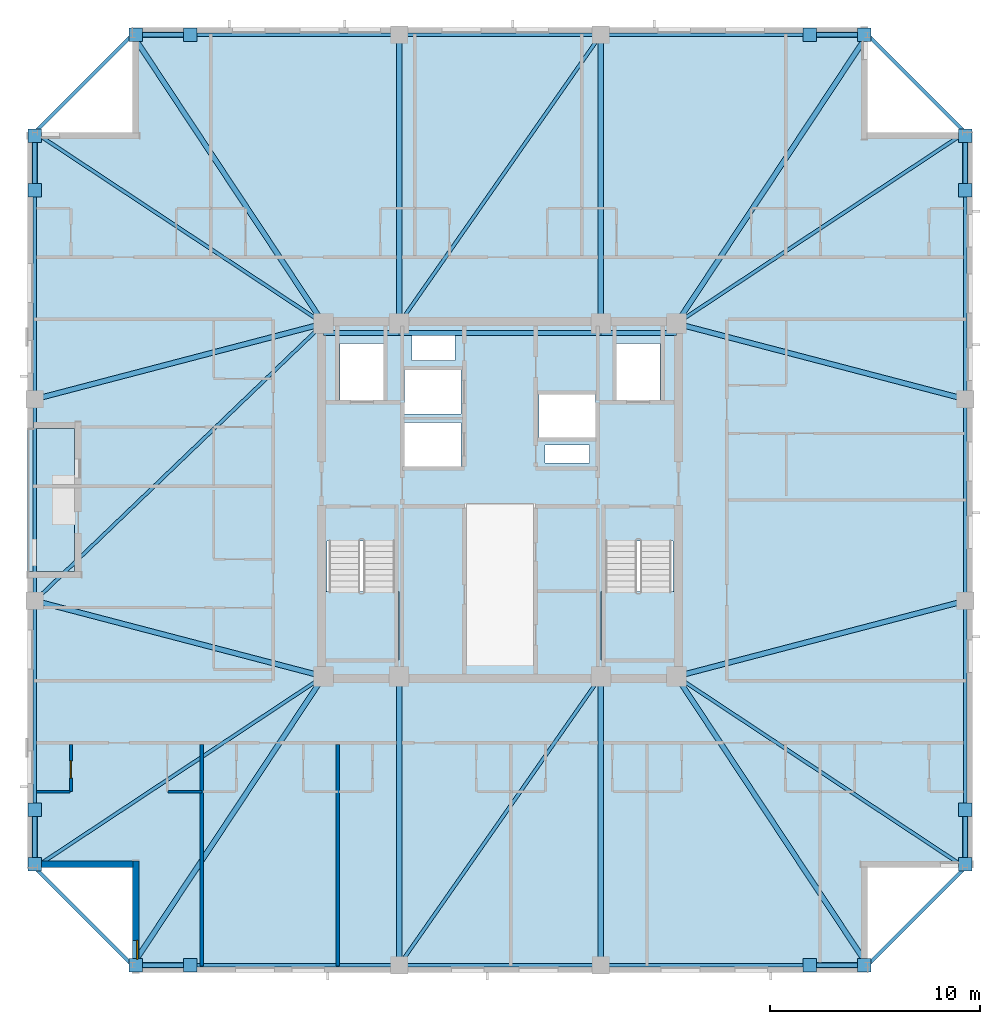
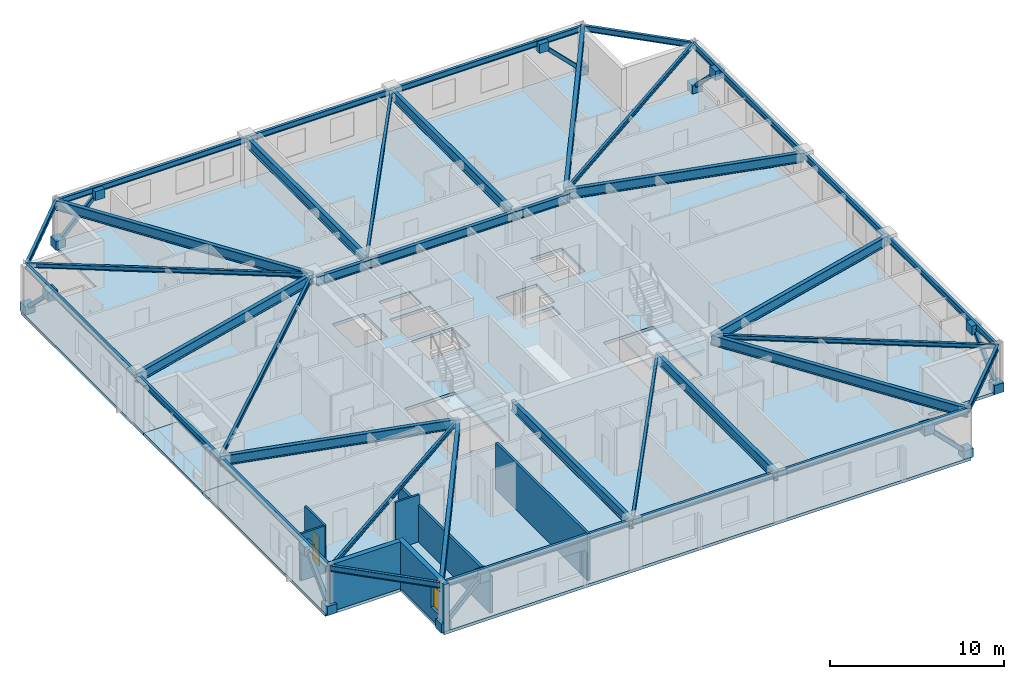
# One storey, part 6 of 17: 38 beams, 16 plates, 8 members, 7 walls, 4 slabs, 1 door, 1 window, 2 openings, 2 elements without a shape of their own.
"""IFC4 building model written with IfcOpenShell, lengths in metres."""

from ifc_helpers import new_model, si_unit, direction, frame, frame_2d, origin, origin_2d, place, context, subcontext, project, spatial, polyline, rectangle, hollow_rectangle, i_section, outline, extrude, material, layer, layer_set, material_profile, profile_set, type_object, element, fill, aggregate, save


model = new_model("IFC4")

# Units and contexts
model_context = context("Model", 3, precision=1e-05, world=origin(), true_north=direction((0.0, 1.0)))
body_context = subcontext(model_context, "Body", "Model", "MODEL_VIEW")
ifc_project = project(units=[si_unit("LENGTHUNIT", "METRE"), si_unit("AREAUNIT", "SQUARE_METRE"), si_unit("VOLUMEUNIT", "CUBIC_METRE"), si_unit("PLANEANGLEUNIT", "RADIAN"), si_unit("MASSUNIT", "GRAM", prefix="KILO")], contexts=[model_context])

# Site, building, storey
site_placement = place(None, origin())
site = spatial("IfcSite", under=ifc_project, at=site_placement, CompositionType="ELEMENT")
building_placement = place(site_placement, origin())
building = spatial("IfcBuilding", under=site, at=building_placement, Name="Cairnveth Concourse Tower", CompositionType="ELEMENT")
storey_placement = place(building_placement, frame((0.0, 0.0, 241.0)))
storey = spatial("IfcBuildingStorey", under=building, at=storey_placement, Name="L66", CompositionType="ELEMENT", Elevation=241.0)

# Beams
ifc_material_1 = material(Name="Steel Grade 350", Category="steel")
ifc_material_profile_1 = material_profile(ifc_material_1, i_section(OverallWidth=0.22802734375, OverallDepth=0.60693359375, WebThickness=0.01123046875, FlangeThickness=0.017333984375, FilletRadius=0.013916015625, at=origin_2d()), Name="610UB113")
ifc_profile_set_1 = profile_set([ifc_material_profile_1], Name="Steel Grade 350")
beam_type_1 = type_object("IfcBeamType", Name="CORE TIE BEAM 610UB113", PredefinedType="T_BEAM", material=ifc_profile_set_1)
for number, where, z_axis, x_axis, name in (
    (1, (43.60009765625, 46.949951171875, 2.986572265625), (1.0, 0.0, 0.0), (0.0, 1.0, 0.0), "Beam CT-N1 L66"),
    (2, (56.800048828125, 46.949951171875, 2.986572265625), (1.0, 0.0, 0.0), (0.0, 1.0, 0.0), "Beam CT-N3 L66"),
):
    element("IfcBeam", number, at=place(storey_placement, frame(where, z_axis=z_axis, x_axis=x_axis)), inside=storey, type_object=beam_type_1, Name=name, PredefinedType="T_BEAM", context=body_context, shape_type="SweptSolid", body=[
        extrude(i_section(OverallWidth=0.22802734375, OverallDepth=0.60693359375, WebThickness=0.01123046875, FlangeThickness=0.017333984375, FilletRadius=0.013916015625, at=origin_2d()), origin(), (0.0, 0.0, 1.0), 3.599853515625),
    ])
beam_1_placement = place(storey_placement, frame((47.199951171875, 46.949951171875, 2.986572265625), z_axis=(1.0, 0.0, 0.0), x_axis=(0.0, 1.0, 0.0)))
element("IfcBeam", 3, at=beam_1_placement, inside=storey, type_object=beam_type_1, Name="Beam CT-N2 L66", PredefinedType="T_BEAM", context=body_context, shape_type="SweptSolid", body=[
    extrude(i_section(OverallWidth=0.22802734375, OverallDepth=0.60693359375, WebThickness=0.01123046875, FlangeThickness=0.017333984375, FilletRadius=0.013916015625, at=origin_2d()), origin(), (0.0, 0.0, 1.0), 9.60009765625),
])
ifc_material_profile_2 = material_profile(ifc_material_1, i_section(OverallWidth=0.166015625, OverallDepth=0.306884765625, WebThickness=0.006591796875, FlangeThickness=0.01171875, FilletRadius=0.010986328125, at=origin_2d()), Name="310UB46.2")
ifc_profile_set_2 = profile_set([ifc_material_profile_2], Name="Steel Grade 350")
beam_type_2 = type_object("IfcBeamType", Name="ZONE 3 FLOOR JOIST 310UB46.2", PredefinedType="JOIST", material=ifc_profile_set_2)
for number, where, z_axis, x_axis, name in (
    (4, (29.85009765625, 21.5, 3.136474609375), (0.833908956207, 0.551902031848, 0.0), (-0.551902031848, 0.833908956207, 0.0), "Beam FJ-CSW2 L66"),
    (5, (74.14990234375, 21.5, 3.136474609375), (-0.833908956207, 0.551902031848, 0.0), (-0.551902031848, -0.833908956207, 0.0), "Beam FJ-CSE2 L66"),
    (6, (74.14990234375, 56.5, 3.136474609375), (-0.833908956207, -0.551902031848, 0.0), (0.551902031848, -0.833908956207, 0.0), "Beam FJ-CNE2 L66"),
    (7, (29.85009765625, 56.5, 3.136474609375), (0.833908956207, -0.551902031848, 0.0), (0.551902031848, 0.833908956207, 0.0), "Beam FJ-CNW2 L66"),
):
    element("IfcBeam", number, at=place(storey_placement, frame(where, z_axis=z_axis, x_axis=x_axis)), inside=storey, type_object=beam_type_2, Name=name, PredefinedType="JOIST", context=body_context, shape_type="SweptSolid", body=[
        extrude(i_section(OverallWidth=0.166015625, OverallDepth=0.306884765625, WebThickness=0.006591796875, FlangeThickness=0.01171875, FilletRadius=0.010986328125, at=origin_2d()), origin(), (0.0, 0.0, 1.0), 16.488525390625),
    ])
for number, where, z_axis, x_axis, name in (
    (8, (47.199951171875, 16.85009765625, 3.136474609375), (0.572465304893, 0.819928944905, 0.0), (-0.819928944905, 0.572465304893, 0.0), "Beam FJ-S-M1 L66"),
    (9, (47.199951171875, 47.39990234375, 3.136474609375), (0.572465304893, 0.819928944905, 0.0), (-0.819928944905, 0.572465304893, 0.0), "Beam FJ-N-M1 L66"),
):
    element("IfcBeam", number, at=place(storey_placement, frame(where, z_axis=z_axis, x_axis=x_axis)), inside=storey, type_object=beam_type_2, Name=name, PredefinedType="JOIST", context=body_context, shape_type="SweptSolid", body=[
        extrude(i_section(OverallWidth=0.166015625, OverallDepth=0.306884765625, WebThickness=0.006591796875, FlangeThickness=0.01171875, FilletRadius=0.010986328125, at=origin_2d()), origin(), (0.0, 0.0, 1.0), 16.769775390625),
    ])
beam_2_placement = place(storey_placement, frame((29.85009765625, 34.199951171875, 3.136474609375), z_axis=(0.721388600838, 0.692530495055, 0.0), x_axis=(-0.692530495055, 0.721388600838, 0.0)))
element("IfcBeam", 10, at=beam_2_placement, inside=storey, type_object=beam_type_2, Name="Beam FJ-W-M1 L66", PredefinedType="JOIST", context=body_context, shape_type="SweptSolid", body=[
    extrude(i_section(OverallWidth=0.166015625, OverallDepth=0.306884765625, WebThickness=0.006591796875, FlangeThickness=0.01171875, FilletRadius=0.010986328125, at=origin_2d()), origin(), (0.0, 0.0, 1.0), 19.060546875),
])

# Members
ifc_material_2 = material(Name="Steel C350L0 (350 MPa)", Category="steel")
ifc_material_profile_3 = material_profile(ifc_material_2, hollow_rectangle(XDim=0.25, YDim=0.25, WallThickness=0.012451171875, InnerFilletRadius=0.012939453125, OuterFilletRadius=0.02490234375, at=origin_2d()), Name="250x250x12.5SHS")
ifc_profile_set_3 = profile_set([ifc_material_profile_3], Name="Steel C350L0 (350 MPa)")
member_type = type_object("IfcMemberType", Name="ZONE 3 PIER BRACE 250X250X12.5SHS", PredefinedType="BRACE", material=ifc_profile_set_3)
for number, where, z_axis, x_axis, name in (
    (11, (34.64990234375, 16.85009765625, 0.25), (0.708469186186, 0.0, 0.705741746126), (0.0, 1.0, 0.0), "Structural Brace PB-S1 L66"),
    (12, (69.35009765625, 16.85009765625, 0.25), (-0.708469186186, 0.0, 0.705741746126), (0.0, -1.0, 0.0), "Structural Brace PB-S2 L66"),
    (13, (34.64990234375, 61.14990234375, 0.25), (0.708469186186, 0.0, 0.705741746126), (0.0, 1.0, 0.0), "Structural Brace PB-N1 L66"),
    (14, (69.35009765625, 61.14990234375, 0.25), (-0.708469186186, 0.0, 0.705741746126), (0.0, -1.0, 0.0), "Structural Brace PB-N2 L66"),
    (15, (29.85009765625, 21.64990234375, 0.25), (0.0, 0.708469186186, 0.705741746126), (-1.0, 0.0, 0.0), "Structural Brace PB-W1 L66"),
    (16, (29.85009765625, 56.35009765625, 0.25), (0.0, -0.708469186186, 0.705741746126), (1.0, 0.0, 0.0), "Structural Brace PB-W2 L66"),
    (17, (74.14990234375, 21.64990234375, 0.25), (0.0, 0.708469186186, 0.705741746126), (-1.0, 0.0, 0.0), "Structural Brace PB-E1 L66"),
    (18, (74.14990234375, 56.35009765625, 0.25), (0.0, -0.708469186186, 0.705741746126), (1.0, 0.0, 0.0), "Structural Brace PB-E2 L66"),
):
    element("IfcMember", number, at=place(storey_placement, frame(where, z_axis=z_axis, x_axis=x_axis)), inside=storey, type_object=member_type, Name=name, PredefinedType="BRACE", context=body_context, shape_type="SweptSolid", body=[
        extrude(hollow_rectangle(XDim=0.25, YDim=0.25, WallThickness=0.012451171875, InnerFilletRadius=0.012939453125, OuterFilletRadius=0.02490234375, at=origin_2d()), origin(), (0.0, 0.0, 1.0), 3.669921875),
    ])

# Beams
ifc_material_profile_4 = material_profile(ifc_material_1, i_section(OverallWidth=0.25, OverallDepth=0.69189453125, WebThickness=0.010009765625, FlangeThickness=0.02490234375, at=origin_2d()), Name="700WB150")
ifc_profile_set_4 = profile_set([ifc_material_profile_4], Name="Steel Grade 350")
beam_type_3 = type_object("IfcBeamType", Name="ZONE 3 RADIAL GIRDER 700WB150", PredefinedType="BEAM", material=ifc_profile_set_4)
for number, where, z_axis, x_axis, name in (
    (19, (47.199951171875, 16.85009765625, 2.944091796875), (0.0, 1.0, 0.0), (-1.0, 0.0, 0.0), "Beam RG-S1 L66"),
    (20, (56.800048828125, 16.85009765625, 2.944091796875), (0.0, 1.0, 0.0), (-1.0, 0.0, 0.0), "Beam RG-S2 L66"),
    (21, (47.199951171875, 47.39990234375, 2.944091796875), (0.0, 1.0, 0.0), (-1.0, 0.0, 0.0), "Beam RG-N1 L66"),
    (22, (56.800048828125, 47.39990234375, 2.944091796875), (0.0, 1.0, 0.0), (-1.0, 0.0, 0.0), "Beam RG-N2 L66"),
):
    element("IfcBeam", number, at=place(storey_placement, frame(where, z_axis=z_axis, x_axis=x_axis)), inside=storey, type_object=beam_type_3, Name=name, PredefinedType="BEAM", context=body_context, shape_type="SweptSolid", body=[
        extrude(i_section(OverallWidth=0.25, OverallDepth=0.69189453125, WebThickness=0.010009765625, FlangeThickness=0.02490234375, at=origin_2d()), origin(), (0.0, 0.0, 1.0), 13.75),
    ])
for number, where, z_axis, x_axis, name in (
    (23, (29.85009765625, 34.199951171875, 2.944091796875), (0.967395273598, -0.253271365575, 0.0), (0.253271365575, 0.967395273598, 0.0), "Beam RG-W1 L66"),
    (24, (29.85009765625, 43.800048828125, 2.944091796875), (0.967395273598, 0.253271365575, 0.0), (-0.253271365575, 0.967395273598, 0.0), "Beam RG-W2 L66"),
    (25, (60.39990234375, 30.60009765625, 2.944091796875), (0.967395273598, 0.253271365575, 0.0), (-0.253271365575, 0.967395273598, 0.0), "Beam RG-E1 L66"),
    (26, (60.39990234375, 47.39990234375, 2.944091796875), (0.967395273598, -0.253271365575, 0.0), (0.253271365575, 0.967395273598, 0.0), "Beam RG-E2 L66"),
):
    element("IfcBeam", number, at=place(storey_placement, frame(where, z_axis=z_axis, x_axis=x_axis)), inside=storey, type_object=beam_type_3, Name=name, PredefinedType="BEAM", context=body_context, shape_type="SweptSolid", body=[
        extrude(i_section(OverallWidth=0.25, OverallDepth=0.69189453125, WebThickness=0.010009765625, FlangeThickness=0.02490234375, at=origin_2d()), origin(), (0.0, 0.0, 1.0), 14.21337890625),
    ])
for number, where, z_axis, x_axis, name in (
    (27, (34.5, 16.85009765625, 2.944091796875), (0.551902031848, 0.833908956207, 0.0), (-0.833908956207, 0.551902031848, 0.0), "Beam RG-CSW L66"),
    (28, (69.5, 16.85009765625, 2.944091796875), (-0.551902031848, 0.833908956207, 0.0), (-0.833908956207, -0.551902031848, 0.0), "Beam RG-CSE L66"),
    (29, (69.5, 61.14990234375, 2.944091796875), (-0.551902031848, -0.833908956207, 0.0), (0.833908956207, -0.551902031848, 0.0), "Beam RG-CNE L66"),
    (30, (34.5, 61.14990234375, 2.944091796875), (0.551902031848, -0.833908956207, 0.0), (0.833908956207, 0.551902031848, 0.0), "Beam RG-CNW L66"),
):
    element("IfcBeam", number, at=place(storey_placement, frame(where, z_axis=z_axis, x_axis=x_axis)), inside=storey, type_object=beam_type_3, Name=name, PredefinedType="BEAM", context=body_context, shape_type="SweptSolid", body=[
        extrude(i_section(OverallWidth=0.25, OverallDepth=0.69189453125, WebThickness=0.010009765625, FlangeThickness=0.02490234375, at=origin_2d()), origin(), (0.0, 0.0, 1.0), 16.488525390625),
    ])
ifc_material_profile_5 = material_profile(ifc_material_1, i_section(OverallWidth=0.177978515625, OverallDepth=0.406005859375, WebThickness=0.0078125, FlangeThickness=0.0126953125, FilletRadius=0.010986328125, at=origin_2d()), Name="410UB59.7")
ifc_profile_set_5 = profile_set([ifc_material_profile_5], Name="Steel Grade 350")
beam_type_4 = type_object("IfcBeamType", Name="ZONE 3 SPANDREL BEAM 410UB59.7", PredefinedType="SPANDREL", material=ifc_profile_set_5)
beam_3_placement = place(storey_placement, frame((34.5, 16.85009765625, 3.0869140625), z_axis=(1.0, 0.0, 0.0), x_axis=(0.0, 1.0, 0.0)))
element("IfcBeam", 31, at=beam_3_placement, inside=storey, type_object=beam_type_4, Name="Beam SP-S1 L66", PredefinedType="SPANDREL", context=body_context, shape_type="SweptSolid", body=[
    extrude(i_section(OverallWidth=0.177978515625, OverallDepth=0.406005859375, WebThickness=0.0078125, FlangeThickness=0.0126953125, FilletRadius=0.010986328125, at=origin_2d()), origin(), (0.0, 0.0, 1.0), 12.699951171875),
])
beam_4_placement = place(storey_placement, frame((47.199951171875, 16.85009765625, 3.0869140625), z_axis=(1.0, 0.0, 0.0), x_axis=(0.0, 1.0, 0.0)))
element("IfcBeam", 32, at=beam_4_placement, inside=storey, type_object=beam_type_4, Name="Beam SP-S2 L66", PredefinedType="SPANDREL", context=body_context, shape_type="SweptSolid", body=[
    extrude(i_section(OverallWidth=0.177978515625, OverallDepth=0.406005859375, WebThickness=0.0078125, FlangeThickness=0.0126953125, FilletRadius=0.010986328125, at=origin_2d()), origin(), (0.0, 0.0, 1.0), 9.60009765625),
])
for number, where, z_axis, x_axis, name in (
    (33, (56.800048828125, 16.85009765625, 3.0869140625), (1.0, 0.0, 0.0), (0.0, 1.0, 0.0), "Beam SP-S3 L66"),
    (34, (34.5, 61.14990234375, 3.0869140625), (1.0, 0.0, 0.0), (0.0, 1.0, 0.0), "Beam SP-N1 L66"),
):
    element("IfcBeam", number, at=place(storey_placement, frame(where, z_axis=z_axis, x_axis=x_axis)), inside=storey, type_object=beam_type_4, Name=name, PredefinedType="SPANDREL", context=body_context, shape_type="SweptSolid", body=[
        extrude(i_section(OverallWidth=0.177978515625, OverallDepth=0.406005859375, WebThickness=0.0078125, FlangeThickness=0.0126953125, FilletRadius=0.010986328125, at=origin_2d()), origin(), (0.0, 0.0, 1.0), 12.699951171875),
    ])
beam_5_placement = place(storey_placement, frame((47.199951171875, 61.14990234375, 3.0869140625), z_axis=(1.0, 0.0, 0.0), x_axis=(0.0, 1.0, 0.0)))
element("IfcBeam", 35, at=beam_5_placement, inside=storey, type_object=beam_type_4, Name="Beam SP-N2 L66", PredefinedType="SPANDREL", context=body_context, shape_type="SweptSolid", body=[
    extrude(i_section(OverallWidth=0.177978515625, OverallDepth=0.406005859375, WebThickness=0.0078125, FlangeThickness=0.0126953125, FilletRadius=0.010986328125, at=origin_2d()), origin(), (0.0, 0.0, 1.0), 9.60009765625),
])
for number, where, z_axis, x_axis, name in (
    (36, (56.800048828125, 61.14990234375, 3.0869140625), (1.0, 0.0, 0.0), (0.0, 1.0, 0.0), "Beam SP-N3 L66"),
    (37, (29.85009765625, 21.5, 3.0869140625), (0.0, 1.0, 0.0), (-1.0, 0.0, 0.0), "Beam SP-W1 L66"),
):
    element("IfcBeam", number, at=place(storey_placement, frame(where, z_axis=z_axis, x_axis=x_axis)), inside=storey, type_object=beam_type_4, Name=name, PredefinedType="SPANDREL", context=body_context, shape_type="SweptSolid", body=[
        extrude(i_section(OverallWidth=0.177978515625, OverallDepth=0.406005859375, WebThickness=0.0078125, FlangeThickness=0.0126953125, FilletRadius=0.010986328125, at=origin_2d()), origin(), (0.0, 0.0, 1.0), 12.699951171875),
    ])
beam_6_placement = place(storey_placement, frame((29.85009765625, 34.199951171875, 3.0869140625), z_axis=(0.0, 1.0, 0.0), x_axis=(-1.0, 0.0, 0.0)))
element("IfcBeam", 38, at=beam_6_placement, inside=storey, type_object=beam_type_4, Name="Beam SP-W2 L66", PredefinedType="SPANDREL", context=body_context, shape_type="SweptSolid", body=[
    extrude(i_section(OverallWidth=0.177978515625, OverallDepth=0.406005859375, WebThickness=0.0078125, FlangeThickness=0.0126953125, FilletRadius=0.010986328125, at=origin_2d()), origin(), (0.0, 0.0, 1.0), 9.60009765625),
])
for number, where, z_axis, x_axis, name in (
    (39, (29.85009765625, 43.800048828125, 3.0869140625), (0.0, 1.0, 0.0), (-1.0, 0.0, 0.0), "Beam SP-W3 L66"),
    (40, (74.14990234375, 21.5, 3.0869140625), (0.0, 1.0, 0.0), (-1.0, 0.0, 0.0), "Beam SP-E1 L66"),
):
    element("IfcBeam", number, at=place(storey_placement, frame(where, z_axis=z_axis, x_axis=x_axis)), inside=storey, type_object=beam_type_4, Name=name, PredefinedType="SPANDREL", context=body_context, shape_type="SweptSolid", body=[
        extrude(i_section(OverallWidth=0.177978515625, OverallDepth=0.406005859375, WebThickness=0.0078125, FlangeThickness=0.0126953125, FilletRadius=0.010986328125, at=origin_2d()), origin(), (0.0, 0.0, 1.0), 12.699951171875),
    ])
beam_7_placement = place(storey_placement, frame((74.14990234375, 34.199951171875, 3.0869140625), z_axis=(0.0, 1.0, 0.0), x_axis=(-1.0, 0.0, 0.0)))
element("IfcBeam", 41, at=beam_7_placement, inside=storey, type_object=beam_type_4, Name="Beam SP-E2 L66", PredefinedType="SPANDREL", context=body_context, shape_type="SweptSolid", body=[
    extrude(i_section(OverallWidth=0.177978515625, OverallDepth=0.406005859375, WebThickness=0.0078125, FlangeThickness=0.0126953125, FilletRadius=0.010986328125, at=origin_2d()), origin(), (0.0, 0.0, 1.0), 9.60009765625),
])
beam_8_placement = place(storey_placement, frame((74.14990234375, 43.800048828125, 3.0869140625), z_axis=(0.0, 1.0, 0.0), x_axis=(-1.0, 0.0, 0.0)))
element("IfcBeam", 42, at=beam_8_placement, inside=storey, type_object=beam_type_4, Name="Beam SP-E3 L66", PredefinedType="SPANDREL", context=body_context, shape_type="SweptSolid", body=[
    extrude(i_section(OverallWidth=0.177978515625, OverallDepth=0.406005859375, WebThickness=0.0078125, FlangeThickness=0.0126953125, FilletRadius=0.010986328125, at=origin_2d()), origin(), (0.0, 0.0, 1.0), 12.699951171875),
])
for number, where, z_axis, x_axis, name in (
    (43, (29.85009765625, 21.5, 3.0869140625), (0.707106781187, -0.707106781187, 0.0), (0.707106781187, 0.707106781187, 0.0), "Beam SP-SW L66"),
    (44, (69.5, 16.85009765625, 3.0869140625), (0.707106781187, 0.707106781187, 0.0), (-0.707106781187, 0.707106781187, 0.0), "Beam SP-SE L66"),
    (45, (69.5, 61.14990234375, 3.0869140625), (0.707106781187, -0.707106781187, 0.0), (0.707106781187, 0.707106781187, 0.0), "Beam SP-NE L66"),
    (46, (29.85009765625, 56.5, 3.0869140625), (0.707106781187, 0.707106781187, 0.0), (-0.707106781187, 0.707106781187, 0.0), "Beam SP-NW L66"),
):
    element("IfcBeam", number, at=place(storey_placement, frame(where, z_axis=z_axis, x_axis=x_axis)), inside=storey, type_object=beam_type_4, Name=name, PredefinedType="SPANDREL", context=body_context, shape_type="SweptSolid", body=[
        extrude(i_section(OverallWidth=0.177978515625, OverallDepth=0.406005859375, WebThickness=0.0078125, FlangeThickness=0.0126953125, FilletRadius=0.010986328125, at=origin_2d()), origin(), (0.0, 0.0, 1.0), 6.575927734375),
    ])

# Plates
ifc_layer_1 = layer(ifc_material_1, 0.031982421875)
ifc_layer_set_1 = layer_set([ifc_layer_1], Name="Steel Grade 350")
plate_type = type_object("IfcPlateType", Name="PERIMETER BRACE GUSSET PLATE 32", PredefinedType="USERDEFINED", material=ifc_layer_set_1)
for number, where, z_axis, x_axis, name in (
    (47, (34.64990234375, 16.85009765625, -0.06982421875), (0.0, 0.0, 1.0), (1.0, 0.0, 0.0), "Structural Node Plate 1141 L66"),
    (48, (37.25, 16.85009765625, 2.52001953125), (0.0, 0.0, 1.0), (1.0, 0.0, 0.0), "Structural Node Plate 1142 L66"),
    (49, (69.35009765625, 16.85009765625, -0.06982421875), (0.0, 0.0, 1.0), (1.0, 0.0, 0.0), "Structural Node Plate 1143 L66"),
    (50, (66.75, 16.85009765625, 2.52001953125), (0.0, 0.0, 1.0), (1.0, 0.0, 0.0), "Structural Node Plate 1144 L66"),
    (51, (34.64990234375, 61.14990234375, -0.06982421875), (0.0, 0.0, 1.0), (1.0, 0.0, 0.0), "Structural Node Plate 1145 L66"),
    (52, (37.25, 61.14990234375, 2.52001953125), (0.0, 0.0, 1.0), (1.0, 0.0, 0.0), "Structural Node Plate 1146 L66"),
    (53, (69.35009765625, 61.14990234375, -0.06982421875), (0.0, 0.0, 1.0), (1.0, 0.0, 0.0), "Structural Node Plate 1147 L66"),
    (54, (66.75, 61.14990234375, 2.52001953125), (0.0, 0.0, 1.0), (1.0, 0.0, 0.0), "Structural Node Plate 1148 L66"),
    (55, (29.85009765625, 21.64990234375, -0.06982421875), (0.0, 0.0, 1.0), (1.0, 0.0, 0.0), "Structural Node Plate 1149 L66"),
    (56, (29.85009765625, 24.25, 2.52001953125), (0.0, 0.0, 1.0), (1.0, 0.0, 0.0), "Structural Node Plate 1150 L66"),
    (57, (29.85009765625, 56.35009765625, -0.06982421875), (0.0, 0.0, 1.0), (1.0, 0.0, 0.0), "Structural Node Plate 1151 L66"),
    (58, (29.85009765625, 53.75, 2.52001953125), (0.0, 0.0, 1.0), (1.0, 0.0, 0.0), "Structural Node Plate 1152 L66"),
    (59, (74.14990234375, 21.64990234375, -0.06982421875), (0.0, 0.0, 1.0), (1.0, 0.0, 0.0), "Structural Node Plate 1153 L66"),
    (60, (74.14990234375, 24.25, 2.52001953125), (0.0, 0.0, 1.0), (1.0, 0.0, 0.0), "Structural Node Plate 1154 L66"),
    (61, (74.14990234375, 56.35009765625, -0.06982421875), (0.0, 0.0, 1.0), (1.0, 0.0, 0.0), "Structural Node Plate 1155 L66"),
    (62, (74.14990234375, 53.75, 2.52001953125), (0.0, 0.0, 1.0), (1.0, 0.0, 0.0), "Structural Node Plate 1156 L66"),
):
    element("IfcPlate", number, at=place(storey_placement, frame(where, z_axis=z_axis, x_axis=x_axis)), inside=storey, type_object=plate_type, Name=name, ObjectType="GUSSET PLATE", PredefinedType="USERDEFINED", context=body_context, shape_type="SweptSolid", body=[
        extrude(rectangle(XDim=0.639892578125, YDim=0.639892578125, at=origin_2d()), origin(), (0.0, 0.0, 1.0), 0.639892578125),
    ])

# Slab
ifc_material_3 = material(Name="Concrete N50 (50 MPa)", Category="concrete")
ifc_layer_2 = layer(ifc_material_3, 0.18994140625)
ifc_layer_set_2 = layer_set([ifc_layer_2], Name="Concrete N50 (50 MPa)")
slab_type_1 = type_object("IfcSlabType", Name="SPIRAL OUTDOOR TERRACE SLAB 190", PredefinedType="FLOOR", material=ifc_layer_set_2)
slab_1_placement = place(storey_placement, frame((0.0, 0.0, -0.18994140625)))
element("IfcSlab", 63, at=slab_1_placement, inside=storey, type_object=slab_type_1, Name="Spiral Terrace Slab L66", PredefinedType="FLOOR", context=body_context, shape_type="SweptSolid", body=[
    extrude(outline(polyline([(29.5, 35.60009765625), (31.75, 35.60009765625), (31.75, 42.39990234375), (29.5, 42.39990234375), (29.5, 35.60009765625)])), origin(), (0.0, 0.0, 1.0), 0.18994140625),
])

# Stair, slab
ifc_material_4 = material(Name="Precast concrete N50 (50 MPa)", Category="concrete")
stair_type = type_object("IfcStairType", Name="CORE DOG-LEG FIRE STAIR 1500", PredefinedType="HALF_TURN_STAIR", material=ifc_material_4)
stair_1_placement = place(storey_placement, origin())
stair_1 = element("IfcStair", 64, at=stair_1_placement, inside=storey, type_object=stair_type, Name="L66 Fire-Isolated Stair ST-1", PredefinedType="HALF_TURN_STAIR")
ifc_layer_3 = layer(ifc_material_3, 0.199951171875)
ifc_layer_set_3 = layer_set([ifc_layer_3], Name="Concrete N50 (50 MPa)")
slab_type_2 = type_object("IfcSlabType", Name="STAIR HALF LANDING SLAB 200", PredefinedType="LANDING", material=ifc_layer_set_3)
slab_2_placement = place(storey_placement, frame((0.0, 0.0, 1.550048828125)))
slab_2 = element("IfcSlab", 65, at=slab_2_placement, type_object=slab_type_2, Name="ST-1 landing 1", PredefinedType="LANDING", context=body_context, shape_type="SweptSolid", body=[
    extrude(outline(polyline([(43.6201171875, 34.639892578125), (43.6201171875, 31.3701171875), (47.199951171875, 31.3701171875), (47.199951171875, 34.639892578125), (43.6201171875, 34.639892578125)])), origin(), (0.0, 0.0, 1.0), 0.199951171875),
])
aggregate(stair_1, [slab_2])

stair_2_placement = place(storey_placement, origin())
stair_2 = element("IfcStair", 66, at=stair_2_placement, inside=storey, type_object=stair_type, Name="L66 Fire-Isolated Stair ST-2", PredefinedType="HALF_TURN_STAIR")
slab_3_placement = place(storey_placement, frame((0.0, 0.0, 1.550048828125)))
slab_3 = element("IfcSlab", 67, at=slab_3_placement, type_object=slab_type_2, Name="ST-2 landing 1", PredefinedType="LANDING", context=body_context, shape_type="SweptSolid", body=[
    extrude(outline(polyline([(56.800048828125, 34.639892578125), (56.800048828125, 31.3701171875), (60.3798828125, 31.3701171875), (60.3798828125, 34.639892578125), (56.800048828125, 34.639892578125)])), origin(), (0.0, 0.0, 1.0), 0.199951171875),
])
aggregate(stair_2, [slab_3])

# Slab
ifc_layer_4 = layer(ifc_material_3, 0.2099609375)
ifc_layer_set_4 = layer_set([ifc_layer_4], Name="Concrete N50 (50 MPa)")
slab_type_3 = type_object("IfcSlabType", Name="UPPER TOWER COMPOSITE SLAB 210", PredefinedType="FLOOR", material=ifc_layer_set_4)
slab_4_placement = place(storey_placement, frame((0.0, 0.0, -0.2099609375)))
element("IfcSlab", 68, at=slab_4_placement, inside=storey, type_object=slab_type_3, Name="Tower Floor Slab L66", PredefinedType="FLOOR", context=body_context, shape_type="SweptSolid", body=[
    extrude(outline(polyline([(29.5, 42.39990234375), (31.75, 42.39990234375), (31.75, 35.60009765625), (29.5, 35.60009765625), (29.5, 21.5), (34.5, 21.5), (34.5, 16.5), (69.5, 16.5), (69.5, 21.5), (74.5, 21.5), (74.5, 56.5), (69.5, 56.5), (69.5, 61.5), (34.5, 61.5), (34.5, 56.5), (29.5, 56.5), (29.5, 42.39990234375)]), holes=[polyline([(43.760009765625, 31.360107421875), (47.06005859375, 31.360107421875), (47.06005859375, 37.0400390625), (43.760009765625, 37.0400390625), (43.760009765625, 31.360107421875)]), polyline([(56.93994140625, 31.360107421875), (60.239990234375, 31.360107421875), (60.239990234375, 37.0400390625), (56.93994140625, 37.0400390625), (56.93994140625, 31.360107421875)]), polyline([(44.3701171875, 43.75), (46.469970703125, 43.75), (46.469970703125, 46.449951171875), (44.3701171875, 46.449951171875), (44.3701171875, 43.75)]), polyline([(57.530029296875, 43.75), (59.6298828125, 43.75), (59.6298828125, 46.449951171875), (57.530029296875, 46.449951171875), (57.530029296875, 43.75)]), polyline([(47.449951171875, 40.60009765625), (50.14990234375, 40.60009765625), (50.14990234375, 42.699951171875), (47.449951171875, 42.699951171875), (47.449951171875, 40.60009765625)]), polyline([(47.449951171875, 43.10009765625), (50.14990234375, 43.10009765625), (50.14990234375, 45.199951171875), (47.449951171875, 45.199951171875), (47.449951171875, 43.10009765625)]), polyline([(53.85009765625, 41.949951171875), (56.550048828125, 41.949951171875), (56.550048828125, 44.050048828125), (53.85009765625, 44.050048828125), (53.85009765625, 41.949951171875)]), polyline([(47.800048828125, 45.64990234375), (49.85009765625, 45.64990234375), (49.85009765625, 47.050048828125), (47.800048828125, 47.050048828125), (47.800048828125, 45.64990234375)]), polyline([(54.14990234375, 40.75), (56.25, 40.75), (56.25, 41.6201171875), (54.14990234375, 41.6201171875), (54.14990234375, 40.75)])]), origin(), (0.0, 0.0, 1.0), 0.2099609375),
])

# Walls
ifc_material_5 = material(Name="Gypsum Plasterboard Partition", Category="gypsum")
ifc_layer_5 = layer(ifc_material_5, 0.159912109375)
ifc_layer_set_5 = layer_set([ifc_layer_5], Name="Gypsum Plasterboard Partition")
wall_type_1 = type_object("IfcWallType", Name="ACOUSTIC PARTY WALL 180", PredefinedType="PARTITIONING", material=ifc_layer_set_5)
wall_1_placement = place(storey_placement, frame((37.800048828125, 16.804931640625, 0.0), z_axis=(0.0, 0.0, 1.0), x_axis=(0.0, 1.0, 0.0)))
element("IfcWall", 69, at=wall_1_placement, inside=storey, type_object=wall_type_1, Name="Interior Wall IW-L66-046", PredefinedType="PARTITIONING", context=body_context, shape_type="SweptSolid", body=[
    extrude(rectangle(XDim=10.5576171875, YDim=0.159912109375, at=frame_2d((5.27880859375, 0.0))), origin(), (0.0, 0.0, 1.0), 2.572998046875),
])
wall_2_placement = place(storey_placement, frame((44.280029296875, 16.804931640625, 0.0), z_axis=(0.0, 0.0, 1.0), x_axis=(0.0, 1.0, 0.0)))
element("IfcWall", 70, at=wall_2_placement, inside=storey, type_object=wall_type_1, Name="Interior Wall IW-L66-051", PredefinedType="PARTITIONING", context=body_context, shape_type="SweptSolid", body=[
    extrude(rectangle(XDim=10.5576171875, YDim=0.159912109375, at=frame_2d((5.27880859375, 0.0))), origin(), (0.0, 0.0, 1.0), 3.2900390625),
])

# Wall, opening, door
ifc_layer_6 = layer(ifc_material_5, 0.1298828125)
ifc_layer_set_6 = layer_set([ifc_layer_6], Name="Gypsum Plasterboard Partition")
wall_type_2 = type_object("IfcWallType", Name="WET AREA PARTITION 140", PredefinedType="PLUMBINGWALL", material=ifc_layer_set_6)
wall_3_placement = place(storey_placement, frame((31.570068359375, 25.112548828125, 0.0), z_axis=(0.0, 0.0, 1.0), x_axis=(0.0, 1.0, 0.0)))
wall_3 = element("IfcWall", 71, at=wall_3_placement, inside=storey, type_object=wall_type_2, Name="Interior Wall IW-L66-042", PredefinedType="PLUMBINGWALL", context=body_context, shape_type="SweptSolid", body=[
    extrude(rectangle(XDim=2.25, YDim=0.1298828125, at=frame_2d((1.125, 0.0))), origin(), (0.0, 0.0, 1.0), 3.2900390625),
])
opening_1_placement = place(wall_3_placement, frame((0.64990234375, 0.0, 0.0)))
opening_1 = element("IfcOpeningElement", 72, at=opening_1_placement, cuts=wall_3, Name="Opening ID22", PredefinedType="OPENING", context=body_context, shape_type="SweptSolid", body=[
    extrude(rectangle(XDim=0.820068359375, YDim=2.10009765625, at=frame_2d((0.41015625, 1.050048828125))), frame((0.0, 0.074951171875, 0.0), z_axis=(0.0, -1.0, 0.0), x_axis=(1.0, 0.0, 0.0)), (0.0, 0.0, 1.0), 0.14990234375),
])
ifc_material_6 = material(Name="Solid Core Hardwood Timber Leaf", Category="wood")
door_type = type_object("IfcDoorType", Name="INTERIOR WC DOOR 820X2100", OperationType="NOTDEFINED", PredefinedType="DOOR", material=ifc_material_6)
door_placement = place(opening_1_placement, origin())
door = element("IfcDoor", 73, at=door_placement, inside=storey, type_object=door_type, Name="L66STS1 Bathroom Door", OperationType="SINGLE_SWING_LEFT", OverallHeight=2.10009765625, OverallWidth=0.820068359375, PredefinedType="DOOR", context=body_context, shape_type="SweptSolid", body=[
    extrude(rectangle(XDim=0.820068359375, YDim=2.10009765625, at=frame_2d((0.41015625, 1.050048828125))), frame((0.0, 0.02490234375, 0.0), z_axis=(0.0, -1.0, 0.0), x_axis=(1.0, 0.0, 0.0)), (0.0, 0.0, 1.0), 0.050048828125),
])
fill(opening_1, door)

# Walls
for number, where, z_axis, x_axis, name in (
    (74, (29.919921875, 25.112548828125, 0.0), (0.0, 0.0, 1.0), (1.0, 0.0, 0.0), "Interior Wall IW-L66-043"),
    (75, (36.199951171875, 25.112548828125, 0.0), (0.0, 0.0, 1.0), (1.0, 0.0, 0.0), "Interior Wall IW-L66-045"),
):
    element("IfcWall", number, at=place(storey_placement, frame(where, z_axis=z_axis, x_axis=x_axis)), inside=storey, type_object=wall_type_2, Name=name, PredefinedType="PLUMBINGWALL", context=body_context, shape_type="SweptSolid", body=[
        extrude(rectangle(XDim=1.60009765625, YDim=0.1298828125, at=frame_2d((0.800048828125, 0.0))), origin(), (0.0, 0.0, 1.0), 3.2900390625),
    ])

# Wall, opening, window
ifc_material_7 = material(Name="Melbourne Buff Fired Clay Brick Masonry", Category="masonry")
ifc_layer_7 = layer(ifc_material_7, 0.320068359375)
ifc_layer_set_7 = layer_set([ifc_layer_7], Name="Melbourne Buff Fired Clay Brick Masonry")
wall_type_3 = type_object("IfcWallType", Name="ZONE 3 BRICK PIER SPANDREL WALL 320", PredefinedType="SOLIDWALL", material=ifc_layer_set_7)
wall_4_placement = place(storey_placement, frame((34.659912109375, 16.5, 0.0), z_axis=(0.0, 0.0, 1.0), x_axis=(0.0, 1.0, 0.0)))
wall_4 = element("IfcWall", 76, at=wall_4_placement, inside=storey, type_object=wall_type_3, Name="Exterior Wall EW-L66-S10", PredefinedType="SOLIDWALL", context=body_context, shape_type="SweptSolid", body=[
    extrude(rectangle(XDim=5.320068359375, YDim=0.320068359375, at=frame_2d((2.66015625, 0.0))), origin(), (0.0, 0.0, 1.0), 3.2900390625),
])
opening_2_placement = place(wall_4_placement, frame((0.6298828125, 0.0, 0.800048828125)))
opening_2 = element("IfcOpeningElement", 77, at=opening_2_placement, cuts=wall_4, Name="Opening W13", PredefinedType="OPENING", context=body_context, shape_type="SweptSolid", body=[
    extrude(rectangle(XDim=0.89990234375, YDim=1.677978515625, at=frame_2d((0.449951171875, 0.8388671875))), frame((0.0, 0.169921875, 0.0), z_axis=(0.0, -1.0, 0.0), x_axis=(1.0, 0.0, 0.0)), (0.0, 0.0, 1.0), 0.340087890625),
])
ifc_material_8 = material(Name="Double Glazed Low-E Clear Glass", Category="glass")
window_type = type_object("IfcWindowType", Name="DEEP-SET BEDROOM LANCET WINDOW 900X1750", PartitioningType="DOUBLE_PANEL_VERTICAL", PredefinedType="WINDOW", material=ifc_material_8)
window_placement = place(opening_2_placement, origin())
window = element("IfcWindow", 78, at=window_placement, inside=storey, type_object=window_type, Name="Dwelling Lancet Window L66-DW1", OverallHeight=1.677978515625, OverallWidth=0.89990234375, PartitioningType="SINGLE_PANEL", PredefinedType="WINDOW", context=body_context, shape_type="SweptSolid", body=[
    extrude(rectangle(XDim=0.89990234375, YDim=1.677978515625, at=frame_2d((0.449951171875, 0.8388671875))), frame((0.0, -0.0400390625, 0.0), z_axis=(0.0, -1.0, 0.0), x_axis=(1.0, 0.0, 0.0)), (0.0, 0.0, 1.0), 0.06005859375),
])
fill(opening_2, window)

# Wall
wall_5_placement = place(storey_placement, frame((34.52197265625, 21.659912109375, 0.0), z_axis=(0.0, 0.0, 1.0), x_axis=(-1.0, 0.0, 0.0)))
element("IfcWall", 79, at=wall_5_placement, inside=storey, type_object=wall_type_3, Name="Exterior Wall EW-L66-S11", PredefinedType="SOLIDWALL", context=body_context, shape_type="SweptSolid", body=[
    extrude(rectangle(XDim=4.723876953125, YDim=0.320068359375, at=frame_2d((2.36181640625, 0.0))), origin(), (0.0, 0.0, 1.0), 3.2900390625),
])

save(model, "model.ifc")
